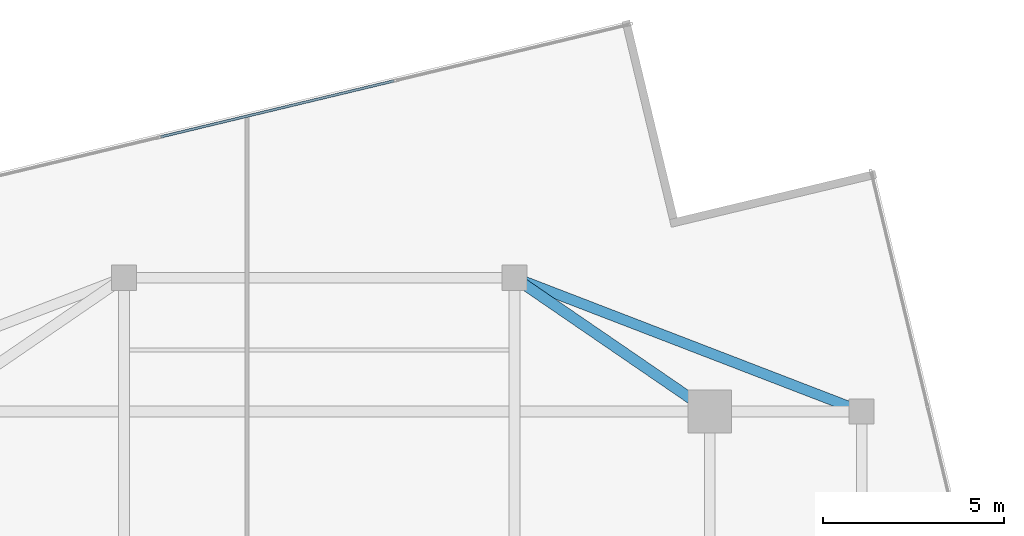
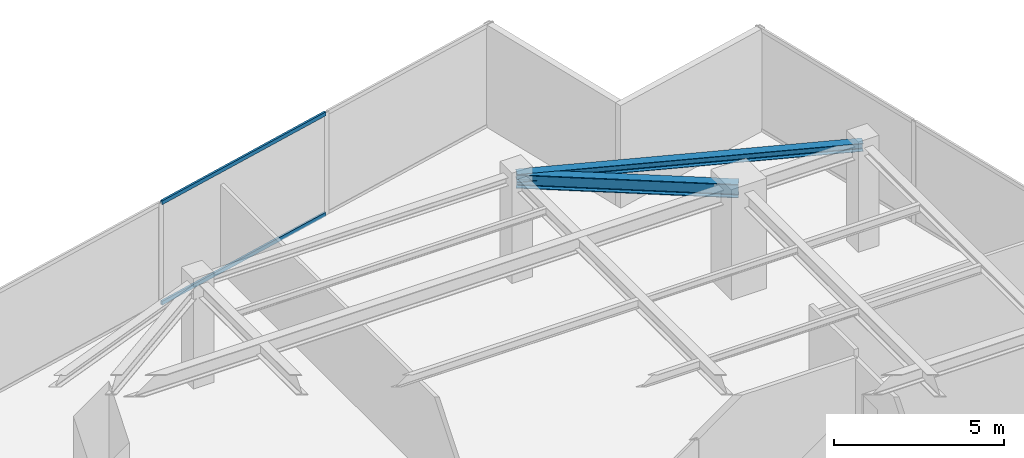
# One storey, part 15 of 22: 2 beams, 2 members, 1 element without a shape of its own.
"""IFC4 building model written with IfcOpenShell, lengths in metres."""

from ifc_helpers import new_model, si_unit, direction, frame, origin, origin_2d, place, context, subcontext, project, spatial, hollow_rectangle, i_section, extrude, source, transform, mapped, material, material_profile, profile_set, type_object, type_shapes, element, aggregate, save


model = new_model("IFC4")

# Units and contexts
model_context = context("Model", 3, precision=1e-05, world=origin(), true_north=direction((0.0, 1.0)))
body_context = subcontext(model_context, "Body", "Model", "MODEL_VIEW")
ifc_project = project(units=[si_unit("LENGTHUNIT", "METRE"), si_unit("AREAUNIT", "SQUARE_METRE"), si_unit("VOLUMEUNIT", "CUBIC_METRE"), si_unit("PLANEANGLEUNIT", "RADIAN"), si_unit("MASSUNIT", "GRAM", prefix="KILO")], contexts=[model_context])

# Site, building, storey
site_placement = place(None, origin())
site = spatial("IfcSite", under=ifc_project, at=site_placement, CompositionType="ELEMENT")
building_placement = place(site_placement, origin())
building = spatial("IfcBuilding", under=site, at=building_placement, Name="Krantzveldt Concourse Tower", CompositionType="ELEMENT")
storey_placement = place(building_placement, frame((0.0, 0.0, 355.35009765625)))
storey = spatial("IfcBuildingStorey", under=building, at=storey_placement, Name="L87", CompositionType="ELEMENT", Elevation=355.35009765625)

# Beams
ifc_material_1 = material(Name="Steel S355JR", Category="steel")
ifc_material_profile_1 = material_profile(ifc_material_1, i_section(OverallWidth=0.300048828125, OverallDepth=0.489990234375, WebThickness=0.011962890625, FlangeThickness=0.02294921875, FilletRadius=0.027099609375, at=origin_2d()), Name="Steel S355JR", Category="steel")
ifc_profile_set_1 = profile_set([ifc_material_profile_1], Name="Steel S355JR - HEA 500")
beam_type_1 = type_object("IfcBeamType", Name="BM-B-HEA500", PredefinedType="BEAM", material=ifc_profile_set_1)
shared_shape_1 = source(origin(), body_context, "Body", "SweptSolid", [
    extrude(i_section(OverallWidth=0.300048828125, OverallDepth=0.489990234375, WebThickness=0.011962890625, FlangeThickness=0.02294921875, FilletRadius=0.027099609375, at=origin_2d()), origin(), (0.0, 0.0, 1.0), 6.546142578125),
])
type_shapes(beam_type_1, [shared_shape_1])
beam_1_placement = place(storey_placement, frame((46.800048828125, 37.5, 3.4248046875), z_axis=(-0.824942999484, 0.565215930068, 0.0), x_axis=(-0.565215930068, -0.824942999484, 0.0)))
element("IfcBeam", 1, at=beam_1_placement, inside=storey, type_object=beam_type_1, Name="L87 Tower Girder BR-RR4", PredefinedType="BEAM", context=body_context, shape_type="MappedRepresentation", body=[
    mapped(shared_shape_1, transform((0.0, 0.0, 0.0), x_axis=(1.0, 0.0, 0.0), y_axis=(0.0, 1.0, 0.0), z_axis=(0.0, 0.0, 1.0), scale=1.0)),
])
ifc_material_profile_2 = material_profile(ifc_material_1, i_section(OverallWidth=0.2900390625, OverallDepth=0.2900390625, WebThickness=0.008544921875, FlangeThickness=0.013916015625, FilletRadius=0.027099609375, at=origin_2d()), Name="Steel S355JR", Category="steel")
ifc_profile_set_2 = profile_set([ifc_material_profile_2], Name="Steel S355JR - HEA 300")
beam_type_2 = type_object("IfcBeamType", Name="BM-SP-HEA300", PredefinedType="SPANDREL", material=ifc_profile_set_2)
shared_shape_2 = source(origin(), body_context, "Body", "SweptSolid", [
    extrude(i_section(OverallWidth=0.2900390625, OverallDepth=0.2900390625, WebThickness=0.008544921875, FlangeThickness=0.013916015625, FilletRadius=0.027099609375, at=origin_2d()), origin(), (0.0, 0.0, 1.0), 10.288330078125),
])
type_shapes(beam_type_2, [shared_shape_2])
beam_2_placement = place(storey_placement, frame((41.39990234375, 41.199951171875, 3.52490234375), z_axis=(0.933097690408, -0.359622997257, 0.0), x_axis=(0.359622997257, 0.933097690408, 0.0)))
element("IfcBeam", 2, at=beam_2_placement, inside=storey, type_object=beam_type_2, Name="L87 Tower Girder SP-R05", PredefinedType="SPANDREL", context=body_context, shape_type="MappedRepresentation", body=[
    mapped(shared_shape_2, transform((0.0, 0.0, 0.0), x_axis=(1.0, 0.0, 0.0), y_axis=(0.0, 1.0, 0.0), z_axis=(0.0, 0.0, 1.0), scale=1.0)),
])

# Curtain wall, members
ifc_material_2 = material(Name="Anodised aluminium 6063-T6", Category="aluminium")
curtain_wall_type = type_object("IfcCurtainWallType", Name="CW4", PredefinedType="USERDEFINED", material=ifc_material_2)
curtain_wall_placement = place(storey_placement, origin())
curtain_wall = element("IfcCurtainWall", 3, at=curtain_wall_placement, inside=storey, type_object=curtain_wall_type, Name="CW-L87-F01", ObjectType="UNITISED CURTAIN WALL", PredefinedType="USERDEFINED")
ifc_material_profile_3 = material_profile(ifc_material_2, hollow_rectangle(XDim=0.070068359375, YDim=0.139892578125, WallThickness=0.0048828125, at=origin_2d()), Name="Anodised aluminium 6063-T6", Category="aluminium")
ifc_profile_set_3 = profile_set([ifc_material_profile_3], Name="Anodised aluminium 6063-T6 - ALU-TRAN 140x70x5")
member_type = type_object("IfcMemberType", Name="CW-TRN-150", PredefinedType="USERDEFINED", material=ifc_profile_set_3)
shared_shape_3 = source(origin(), body_context, "Body", "SweptSolid", [
    extrude(hollow_rectangle(XDim=0.070068359375, YDim=0.139892578125, WallThickness=0.0048828125, at=origin_2d()), origin(), (0.0, 0.0, 1.0), 6.6298828125),
])
type_shapes(member_type, [shared_shape_3])
member_1_placement = place(storey_placement, frame((38.06640625, 46.6435546875, 0.034912109375), z_axis=(-0.972365905625, -0.233462085953, 0.0), x_axis=(0.233462085953, -0.972365905625, 0.0)))
member_1 = element("IfcMember", 4, at=member_1_placement, type_object=member_type, Name="CW-Z56 transom 2.1", ObjectType="TRANSOM", PredefinedType="USERDEFINED", context=body_context, shape_type="MappedRepresentation", body=[
    mapped(shared_shape_3, transform((0.0, 0.0, 0.0), x_axis=(1.0, 0.0, 0.0), y_axis=(0.0, 1.0, 0.0), z_axis=(0.0, 0.0, 1.0), scale=1.0)),
])
member_2_placement = place(storey_placement, frame((38.06640625, 46.6435546875, 3.635009765625), z_axis=(-0.972365905625, -0.233462085953, 0.0), x_axis=(0.233462085953, -0.972365905625, 0.0)))
member_2 = element("IfcMember", 5, at=member_2_placement, type_object=member_type, Name="CW-Z56 transom 2.2", ObjectType="TRANSOM", PredefinedType="USERDEFINED", context=body_context, shape_type="MappedRepresentation", body=[
    mapped(shared_shape_3, transform((0.0, 0.0, 0.0), x_axis=(1.0, 0.0, 0.0), y_axis=(0.0, 1.0, 0.0), z_axis=(0.0, 0.0, 1.0), scale=1.0)),
])
aggregate(curtain_wall, [member_1, member_2])

save(model, "model.ifc")
